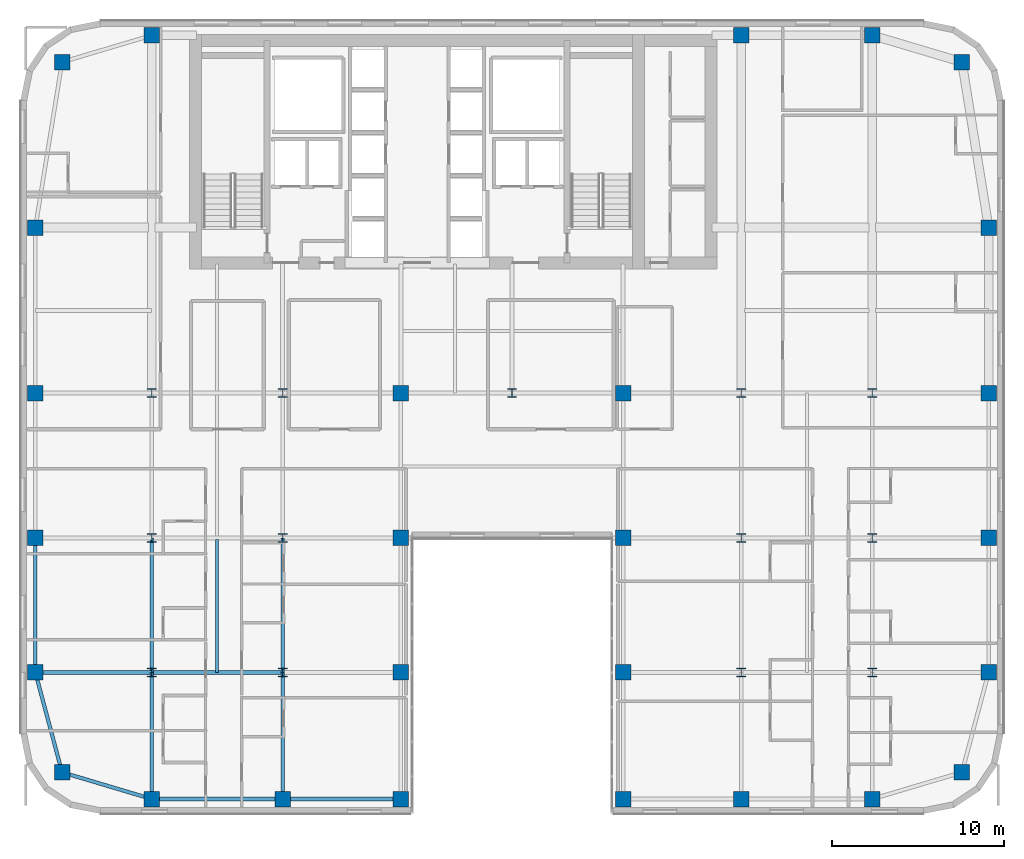
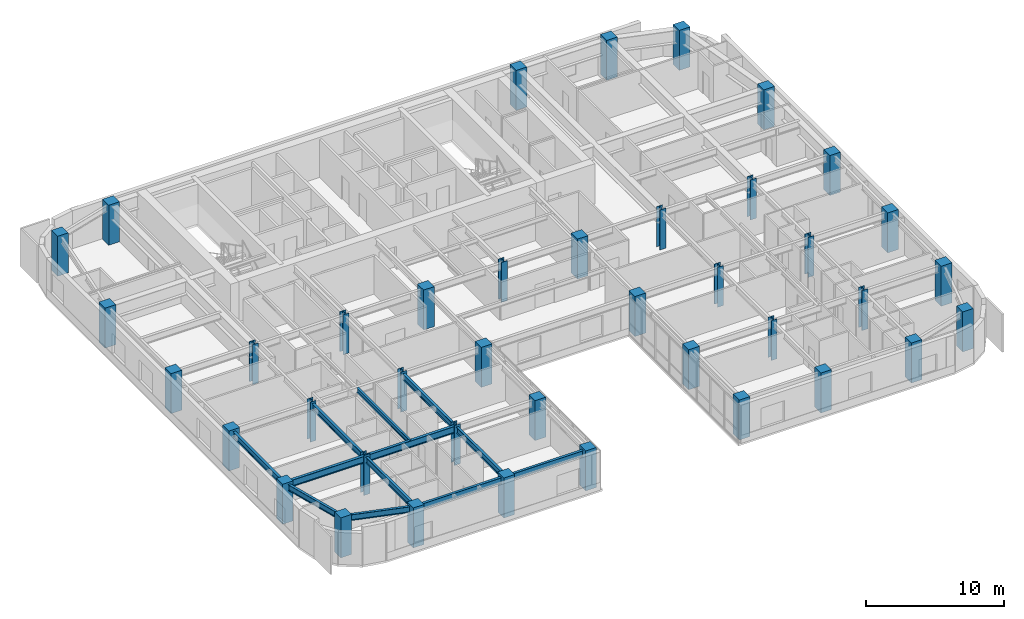
# One storey, part 1 of 25: 40 columns, 12 beams.
"""IFC4 building model written with IfcOpenShell, lengths in metres."""

from ifc_helpers import new_model, si_unit, direction, frame, origin, origin_2d, place, context, subcontext, project, spatial, rectangle, i_section, extrude, source, transform, mapped, material, material_profile, profile_set, type_object, type_shapes, element, save


model = new_model("IFC4")

# Units and contexts
model_context = context("Model", 3, precision=1e-05, world=origin(), true_north=direction((0.0, 1.0)))
body_context = subcontext(model_context, "Body", "Model", "MODEL_VIEW")
ifc_project = project(units=[si_unit("LENGTHUNIT", "METRE"), si_unit("AREAUNIT", "SQUARE_METRE"), si_unit("VOLUMEUNIT", "CUBIC_METRE"), si_unit("PLANEANGLEUNIT", "RADIAN"), si_unit("MASSUNIT", "GRAM", prefix="KILO")], contexts=[model_context])

# Site, building, storey
site_placement = place(None, origin())
site = spatial("IfcSite", under=ifc_project, at=site_placement, CompositionType="ELEMENT")
building_placement = place(site_placement, origin())
building = spatial("IfcBuilding", under=site, at=building_placement, Name="Tolvann Quenvar Hotel", CompositionType="ELEMENT")
storey_placement = place(building_placement, frame((0.0, 0.0, 132.85009765625)))
storey = spatial("IfcBuildingStorey", under=building, at=storey_placement, Name="L34", CompositionType="ELEMENT", Elevation=132.85009765625)

# Columns
ifc_material_1 = material(Name="Concrete S65 (65 MPa)", Category="concrete")
ifc_material_profile_1 = material_profile(ifc_material_1, rectangle(XDim=0.89990234375, YDim=0.89990234375, at=origin_2d()), Name="RC900x900")
ifc_profile_set_1 = profile_set([ifc_material_profile_1], Name="Concrete S65 (65 MPa)")
column_type_1 = type_object("IfcColumnType", Name="COL_RC900", PredefinedType="COLUMN", material=ifc_profile_set_1)
shared_shape_1 = source(origin(), body_context, "Body", "SweptSolid", [
    extrude(rectangle(XDim=0.89990234375, YDim=0.89990234375, at=origin_2d()), origin(), (0.0, 0.0, 1.0), 3.5498046875),
])
type_shapes(column_type_1, [shared_shape_1])
for number, where, z_axis, x_axis, name in (
    (1, (2.39990234375, 2.39990234375, 0.0), (0.0, 0.0, 1.0), (1.0, 0.0, 0.0), "Column B2 (L34)"),
    (2, (0.85009765625, 8.199951171875, 0.0), (0.0, 0.0, 1.0), (1.0, 0.0, 0.0), "Column B3 (L34)"),
    (3, (0.85009765625, 16.0, 0.0), (0.0, 0.0, 1.0), (1.0, 0.0, 0.0), "Column B4 (L34)"),
    (4, (0.85009765625, 24.39990234375, 0.0), (0.0, 0.0, 1.0), (1.0, 0.0, 0.0), "Column B5 (L34)"),
    (5, (7.60009765625, 0.85009765625, 0.0), (0.0, 0.0, 1.0), (1.0, 0.0, 0.0), "Column C2 (L34)"),
    (6, (15.199951171875, 0.85009765625, 0.0), (0.0, 0.0, 1.0), (1.0, 0.0, 0.0), "Column D2 (L34)"),
    (7, (22.050048828125, 0.85009765625, 0.0), (0.0, 0.0, 1.0), (1.0, 0.0, 0.0), "Column E2 (L34)"),
    (8, (22.050048828125, 8.199951171875, 0.0), (0.0, 0.0, 1.0), (1.0, 0.0, 0.0), "Column E3 (L34)"),
    (9, (22.050048828125, 16.0, 0.0), (0.0, 0.0, 1.0), (1.0, 0.0, 0.0), "Column E4 (L34)"),
    (10, (22.050048828125, 24.39990234375, 0.0), (0.0, 0.0, 1.0), (1.0, 0.0, 0.0), "Column E5 (L34)"),
    (11, (34.949951171875, 0.85009765625, 0.0), (0.0, 0.0, 1.0), (1.0, 0.0, 0.0), "Column F2 (L34)"),
    (12, (34.949951171875, 8.199951171875, 0.0), (0.0, 0.0, 1.0), (1.0, 0.0, 0.0), "Column F3 (L34)"),
    (13, (34.949951171875, 16.0, 0.0), (0.0, 0.0, 1.0), (1.0, 0.0, 0.0), "Column F4 (L34)"),
    (14, (34.949951171875, 24.39990234375, 0.0), (0.0, 0.0, 1.0), (1.0, 0.0, 0.0), "Column F5 (L34)"),
    (15, (41.800048828125, 0.85009765625, 0.0), (0.0, 0.0, 1.0), (1.0, 0.0, 0.0), "Column H2 (L34)"),
    (16, (49.39990234375, 0.85009765625, 0.0), (0.0, 0.0, 1.0), (1.0, 0.0, 0.0), "Column I2 (L34)"),
    (17, (54.60009765625, 2.39990234375, 0.0), (0.0, 0.0, 1.0), (1.0, 0.0, 0.0), "Column J2 (L34)"),
    (18, (56.14990234375, 8.199951171875, 0.0), (0.0, 0.0, 1.0), (1.0, 0.0, 0.0), "Column J3 (L34)"),
    (19, (56.14990234375, 16.0, 0.0), (0.0, 0.0, 1.0), (1.0, 0.0, 0.0), "Column J4 (L34)"),
    (20, (56.14990234375, 24.39990234375, 0.0), (0.0, 0.0, 1.0), (1.0, 0.0, 0.0), "Column J5 (L34)"),
    (21, (2.39990234375, 43.60009765625, 0.0), (0.0, 0.0, 1.0), (1.0, 0.0, 0.0), "Column BN (L34)"),
    (22, (7.60009765625, 45.14990234375, 0.0), (0.0, 0.0, 1.0), (1.0, 0.0, 0.0), "Column CN (L34)"),
    (23, (0.85009765625, 34.0, 0.0), (0.0, 0.0, 1.0), (1.0, 0.0, 0.0), "Column BD6 (L34)"),
    (24, (41.800048828125, 45.14990234375, 0.0), (0.0, 0.0, 1.0), (1.0, 0.0, 0.0), "Column HN (L34)"),
    (25, (49.39990234375, 45.14990234375, 0.0), (0.0, 0.0, 1.0), (1.0, 0.0, 0.0), "Column IN (L34)"),
    (26, (54.60009765625, 43.60009765625, 0.0), (0.0, 0.0, 1.0), (1.0, 0.0, 0.0), "Column JN (L34)"),
    (27, (56.14990234375, 34.0, 0.0), (0.0, 0.0, 1.0), (1.0, 0.0, 0.0), "Column JD6 (L34)"),
):
    element("IfcColumn", number, at=place(storey_placement, frame(where, z_axis=z_axis, x_axis=x_axis)), inside=storey, type_object=column_type_1, Name=name, PredefinedType="COLUMN", context=body_context, shape_type="MappedRepresentation", body=[
        mapped(shared_shape_1, transform((0.0, 0.0, 0.0), x_axis=(1.0, 0.0, 0.0), y_axis=(0.0, 1.0, 0.0), z_axis=(0.0, 0.0, 1.0), scale=1.0)),
    ])
ifc_material_2 = material(Name="Steel Grade 350", Category="steel")
ifc_material_profile_2 = material_profile(ifc_material_2, i_section(OverallWidth=0.5, OverallDepth=0.5, WebThickness=0.02197265625, FlangeThickness=0.033935546875, at=origin_2d()), Name="500WC340")
ifc_profile_set_2 = profile_set([ifc_material_profile_2], Name="Steel Grade 350")
column_type_2 = type_object("IfcColumnType", Name="COL_500WC340", PredefinedType="COLUMN", material=ifc_profile_set_2)
shared_shape_2 = source(origin(), body_context, "Body", "SweptSolid", [
    extrude(i_section(OverallWidth=0.5, OverallDepth=0.5, WebThickness=0.02197265625, FlangeThickness=0.033935546875, at=origin_2d()), origin(), (0.0, 0.0, 1.0), 3.5498046875),
])
type_shapes(column_type_2, [shared_shape_2])
for number, where, z_axis, x_axis, name in (
    (28, (7.60009765625, 8.199951171875, 0.0), (0.0, 0.0, 1.0), (1.0, 0.0, 0.0), "Column C3 (L34)"),
    (29, (7.60009765625, 16.0, 0.0), (0.0, 0.0, 1.0), (1.0, 0.0, 0.0), "Column C4 (L34)"),
    (30, (7.60009765625, 24.39990234375, 0.0), (0.0, 0.0, 1.0), (1.0, 0.0, 0.0), "Column C5 (L34)"),
    (31, (15.199951171875, 8.199951171875, 0.0), (0.0, 0.0, 1.0), (1.0, 0.0, 0.0), "Column D3 (L34)"),
    (32, (15.199951171875, 16.0, 0.0), (0.0, 0.0, 1.0), (1.0, 0.0, 0.0), "Column D4 (L34)"),
    (33, (15.199951171875, 24.39990234375, 0.0), (0.0, 0.0, 1.0), (1.0, 0.0, 0.0), "Column D5 (L34)"),
    (34, (41.800048828125, 8.199951171875, 0.0), (0.0, 0.0, 1.0), (1.0, 0.0, 0.0), "Column H3 (L34)"),
    (35, (41.800048828125, 16.0, 0.0), (0.0, 0.0, 1.0), (1.0, 0.0, 0.0), "Column H4 (L34)"),
    (36, (41.800048828125, 24.39990234375, 0.0), (0.0, 0.0, 1.0), (1.0, 0.0, 0.0), "Column H5 (L34)"),
    (37, (49.39990234375, 8.199951171875, 0.0), (0.0, 0.0, 1.0), (1.0, 0.0, 0.0), "Column I3 (L34)"),
    (38, (49.39990234375, 16.0, 0.0), (0.0, 0.0, 1.0), (1.0, 0.0, 0.0), "Column I4 (L34)"),
    (39, (49.39990234375, 24.39990234375, 0.0), (0.0, 0.0, 1.0), (1.0, 0.0, 0.0), "Column I5 (L34)"),
    (40, (28.5, 24.39990234375, 0.0), (0.0, 0.0, 1.0), (1.0, 0.0, 0.0), "Column M5 (L34)"),
):
    element("IfcColumn", number, at=place(storey_placement, frame(where, z_axis=z_axis, x_axis=x_axis)), inside=storey, type_object=column_type_2, Name=name, PredefinedType="COLUMN", context=body_context, shape_type="MappedRepresentation", body=[
        mapped(shared_shape_2, transform((0.0, 0.0, 0.0), x_axis=(1.0, 0.0, 0.0), y_axis=(0.0, 1.0, 0.0), z_axis=(0.0, 0.0, 1.0), scale=1.0)),
    ])

# Beams
ifc_material_profile_3 = material_profile(ifc_material_2, i_section(OverallWidth=0.208984375, OverallDepth=0.528076171875, WebThickness=0.009521484375, FlangeThickness=0.01318359375, FilletRadius=0.013916015625, at=origin_2d()), Name="530UB82")
ifc_profile_set_3 = profile_set([ifc_material_profile_3], Name="Steel Grade 350")
beam_type_1 = type_object("IfcBeamType", Name="BM_SPAND_530UB82", PredefinedType="SPANDREL", material=ifc_profile_set_3)
shared_shape_3 = source(origin(), body_context, "Body", "SweptSolid", [
    extrude(i_section(OverallWidth=0.208984375, OverallDepth=0.528076171875, WebThickness=0.009521484375, FlangeThickness=0.01318359375, FilletRadius=0.013916015625, at=origin_2d()), origin(), (0.0, 0.0, 1.0), 5.42626953125),
])
beam_1_placement = place(storey_placement, frame((2.39990234375, 2.39990234375, 3.10595703125), z_axis=(0.958344815522, -0.285613750654, 0.0), x_axis=(0.285613750654, 0.958344815522, 0.0)))
element("IfcBeam", 41, at=beam_1_placement, inside=storey, type_object=beam_type_1, Name="BM-L34-EW-2-B2-C2", PredefinedType="SPANDREL", context=body_context, shape_type="MappedRepresentation", body=[
    mapped(shared_shape_3, transform((0.0, 0.0, 0.0), x_axis=(1.0, 0.0, 0.0), y_axis=(0.0, 1.0, 0.0), z_axis=(0.0, 0.0, 1.0), scale=1.0)),
])
shared_shape_4 = source(origin(), body_context, "Body", "SweptSolid", [
    extrude(i_section(OverallWidth=0.208984375, OverallDepth=0.528076171875, WebThickness=0.009521484375, FlangeThickness=0.01318359375, FilletRadius=0.013916015625, at=origin_2d()), origin(), (0.0, 0.0, 1.0), 7.599853515625),
])
beam_2_placement = place(storey_placement, frame((7.60009765625, 0.85009765625, 3.10595703125), z_axis=(1.0, 0.0, 0.0), x_axis=(0.0, 1.0, 0.0)))
element("IfcBeam", 42, at=beam_2_placement, inside=storey, type_object=beam_type_1, Name="BM-L34-EW-2-C2-D2", PredefinedType="SPANDREL", context=body_context, shape_type="MappedRepresentation", body=[
    mapped(shared_shape_4, transform((0.0, 0.0, 0.0), x_axis=(1.0, 0.0, 0.0), y_axis=(0.0, 1.0, 0.0), z_axis=(0.0, 0.0, 1.0), scale=1.0)),
])
shared_shape_5 = source(origin(), body_context, "Body", "SweptSolid", [
    extrude(i_section(OverallWidth=0.208984375, OverallDepth=0.528076171875, WebThickness=0.009521484375, FlangeThickness=0.01318359375, FilletRadius=0.013916015625, at=origin_2d()), origin(), (0.0, 0.0, 1.0), 6.85009765625),
])
beam_3_placement = place(storey_placement, frame((15.199951171875, 0.85009765625, 3.10595703125), z_axis=(1.0, 0.0, 0.0), x_axis=(0.0, 1.0, 0.0)))
element("IfcBeam", 43, at=beam_3_placement, inside=storey, type_object=beam_type_1, Name="BM-L34-EW-2-D2-E2", PredefinedType="SPANDREL", context=body_context, shape_type="MappedRepresentation", body=[
    mapped(shared_shape_5, transform((0.0, 0.0, 0.0), x_axis=(1.0, 0.0, 0.0), y_axis=(0.0, 1.0, 0.0), z_axis=(0.0, 0.0, 1.0), scale=1.0)),
])
ifc_material_profile_4 = material_profile(ifc_material_2, i_section(OverallWidth=0.22900390625, OverallDepth=0.612060546875, WebThickness=0.011962890625, FlangeThickness=0.01953125, FilletRadius=0.013916015625, at=origin_2d()), Name="610UB125")
ifc_profile_set_4 = profile_set([ifc_material_profile_4], Name="Steel Grade 350")
beam_type_2 = type_object("IfcBeamType", Name="BM_GIRD_610UB125", PredefinedType="BEAM", material=ifc_profile_set_4)
shared_shape_6 = source(origin(), body_context, "Body", "SweptSolid", [
    extrude(i_section(OverallWidth=0.22900390625, OverallDepth=0.612060546875, WebThickness=0.011962890625, FlangeThickness=0.01953125, FilletRadius=0.013916015625, at=origin_2d()), origin(), (0.0, 0.0, 1.0), 6.75),
])
beam_4_placement = place(storey_placement, frame((0.85009765625, 8.199951171875, 3.06396484375), z_axis=(1.0, 0.0, 0.0), x_axis=(0.0, 1.0, 0.0)))
element("IfcBeam", 44, at=beam_4_placement, inside=storey, type_object=beam_type_2, Name="BM-L34-EW-3-B3-C3", PredefinedType="BEAM", context=body_context, shape_type="MappedRepresentation", body=[
    mapped(shared_shape_6, transform((0.0, 0.0, 0.0), x_axis=(1.0, 0.0, 0.0), y_axis=(0.0, 1.0, 0.0), z_axis=(0.0, 0.0, 1.0), scale=1.0)),
])
shared_shape_7 = source(origin(), body_context, "Body", "SweptSolid", [
    extrude(i_section(OverallWidth=0.22900390625, OverallDepth=0.612060546875, WebThickness=0.011962890625, FlangeThickness=0.01953125, FilletRadius=0.013916015625, at=origin_2d()), origin(), (0.0, 0.0, 1.0), 7.599853515625),
])
type_shapes(beam_type_2, [shared_shape_6, shared_shape_7])
beam_5_placement = place(storey_placement, frame((7.60009765625, 8.199951171875, 3.06396484375), z_axis=(1.0, 0.0, 0.0), x_axis=(0.0, 1.0, 0.0)))
element("IfcBeam", 45, at=beam_5_placement, inside=storey, type_object=beam_type_2, Name="BM-L34-EW-3-C3-D3", PredefinedType="BEAM", context=body_context, shape_type="MappedRepresentation", body=[
    mapped(shared_shape_7, transform((0.0, 0.0, 0.0), x_axis=(1.0, 0.0, 0.0), y_axis=(0.0, 1.0, 0.0), z_axis=(0.0, 0.0, 1.0), scale=1.0)),
])
shared_shape_8 = source(origin(), body_context, "Body", "SweptSolid", [
    extrude(i_section(OverallWidth=0.208984375, OverallDepth=0.528076171875, WebThickness=0.009521484375, FlangeThickness=0.01318359375, FilletRadius=0.013916015625, at=origin_2d()), origin(), (0.0, 0.0, 1.0), 6.00341796875),
])
beam_6_placement = place(storey_placement, frame((2.39990234375, 2.39990234375, 3.10595703125), z_axis=(-0.258148586649, 0.966105225745, 0.0), x_axis=(-0.966105225745, -0.258148586649, 0.0)))
element("IfcBeam", 46, at=beam_6_placement, inside=storey, type_object=beam_type_1, Name="BM-L34-NS-B2-B3", PredefinedType="SPANDREL", context=body_context, shape_type="MappedRepresentation", body=[
    mapped(shared_shape_8, transform((0.0, 0.0, 0.0), x_axis=(1.0, 0.0, 0.0), y_axis=(0.0, 1.0, 0.0), z_axis=(0.0, 0.0, 1.0), scale=1.0)),
])
shared_shape_9 = source(origin(), body_context, "Body", "SweptSolid", [
    extrude(i_section(OverallWidth=0.208984375, OverallDepth=0.528076171875, WebThickness=0.009521484375, FlangeThickness=0.01318359375, FilletRadius=0.013916015625, at=origin_2d()), origin(), (0.0, 0.0, 1.0), 7.800048828125),
])
type_shapes(beam_type_1, [shared_shape_3, shared_shape_4, shared_shape_5, shared_shape_8, shared_shape_9])
beam_7_placement = place(storey_placement, frame((0.85009765625, 8.199951171875, 3.10595703125), z_axis=(0.0, 1.0, 0.0), x_axis=(-1.0, 0.0, 0.0)))
element("IfcBeam", 47, at=beam_7_placement, inside=storey, type_object=beam_type_1, Name="BM-L34-NS-B3-B4", PredefinedType="SPANDREL", context=body_context, shape_type="MappedRepresentation", body=[
    mapped(shared_shape_9, transform((0.0, 0.0, 0.0), x_axis=(1.0, 0.0, 0.0), y_axis=(0.0, 1.0, 0.0), z_axis=(0.0, 0.0, 1.0), scale=1.0)),
])
ifc_material_profile_5 = material_profile(ifc_material_2, i_section(OverallWidth=0.208984375, OverallDepth=0.532958984375, WebThickness=0.01025390625, FlangeThickness=0.015625, FilletRadius=0.013916015625, at=origin_2d()), Name="530UB92")
ifc_profile_set_5 = profile_set([ifc_material_profile_5], Name="Steel Grade 350")
beam_type_3 = type_object("IfcBeamType", Name="BM_GIRD_530UB92", PredefinedType="BEAM", material=ifc_profile_set_5)
shared_shape_10 = source(origin(), body_context, "Body", "SweptSolid", [
    extrude(i_section(OverallWidth=0.208984375, OverallDepth=0.532958984375, WebThickness=0.01025390625, FlangeThickness=0.015625, FilletRadius=0.013916015625, at=origin_2d()), origin(), (0.0, 0.0, 1.0), 7.349853515625),
])
for number, where, z_axis, x_axis, name in (
    (48, (7.60009765625, 0.85009765625, 3.103515625), (0.0, 1.0, 0.0), (-1.0, 0.0, 0.0), "BM-L34-NS-C2-C3"),
    (49, (15.199951171875, 0.85009765625, 3.103515625), (0.0, 1.0, 0.0), (-1.0, 0.0, 0.0), "BM-L34-NS-D2-D3"),
):
    element("IfcBeam", number, at=place(storey_placement, frame(where, z_axis=z_axis, x_axis=x_axis)), inside=storey, type_object=beam_type_3, Name=name, PredefinedType="BEAM", context=body_context, shape_type="MappedRepresentation", body=[
        mapped(shared_shape_10, transform((0.0, 0.0, 0.0), x_axis=(1.0, 0.0, 0.0), y_axis=(0.0, 1.0, 0.0), z_axis=(0.0, 0.0, 1.0), scale=1.0)),
    ])
shared_shape_11 = source(origin(), body_context, "Body", "SweptSolid", [
    extrude(i_section(OverallWidth=0.208984375, OverallDepth=0.532958984375, WebThickness=0.01025390625, FlangeThickness=0.015625, FilletRadius=0.013916015625, at=origin_2d()), origin(), (0.0, 0.0, 1.0), 7.800048828125),
])
type_shapes(beam_type_3, [shared_shape_10, shared_shape_11])
for number, where, z_axis, x_axis, name in (
    (50, (7.60009765625, 8.199951171875, 3.103515625), (0.0, 1.0, 0.0), (-1.0, 0.0, 0.0), "BM-L34-NS-C3-C4"),
    (51, (15.199951171875, 8.199951171875, 3.103515625), (0.0, 1.0, 0.0), (-1.0, 0.0, 0.0), "BM-L34-NS-D3-D4"),
):
    element("IfcBeam", number, at=place(storey_placement, frame(where, z_axis=z_axis, x_axis=x_axis)), inside=storey, type_object=beam_type_3, Name=name, PredefinedType="BEAM", context=body_context, shape_type="MappedRepresentation", body=[
        mapped(shared_shape_11, transform((0.0, 0.0, 0.0), x_axis=(1.0, 0.0, 0.0), y_axis=(0.0, 1.0, 0.0), z_axis=(0.0, 0.0, 1.0), scale=1.0)),
    ])
ifc_material_profile_6 = material_profile(ifc_material_2, i_section(OverallWidth=0.177978515625, OverallDepth=0.406005859375, WebThickness=0.0078125, FlangeThickness=0.0126953125, FilletRadius=0.011474609375, at=origin_2d()), Name="410UB60")
ifc_profile_set_6 = profile_set([ifc_material_profile_6], Name="Steel Grade 350")
beam_type_4 = type_object("IfcBeamType", Name="BM_JOIST_410UB60", PredefinedType="JOIST", material=ifc_profile_set_6)
shared_shape_12 = source(origin(), body_context, "Body", "SweptSolid", [
    extrude(i_section(OverallWidth=0.177978515625, OverallDepth=0.406005859375, WebThickness=0.0078125, FlangeThickness=0.0126953125, FilletRadius=0.011474609375, at=origin_2d()), origin(), (0.0, 0.0, 1.0), 7.691650390625),
])
type_shapes(beam_type_4, [shared_shape_12])
beam_8_placement = place(storey_placement, frame((11.39990234375, 8.199951171875, 3.1669921875), z_axis=(0.0, 1.0, 0.0), x_axis=(-1.0, 0.0, 0.0)))
element("IfcBeam", 52, at=beam_8_placement, inside=storey, type_object=beam_type_4, Name="BJ-L34-114-82", PredefinedType="JOIST", context=body_context, shape_type="MappedRepresentation", body=[
    mapped(shared_shape_12, transform((0.0, 0.0, 0.0), x_axis=(1.0, 0.0, 0.0), y_axis=(0.0, 1.0, 0.0), z_axis=(0.0, 0.0, 1.0), scale=1.0)),
])

save(model, "model.ifc")
